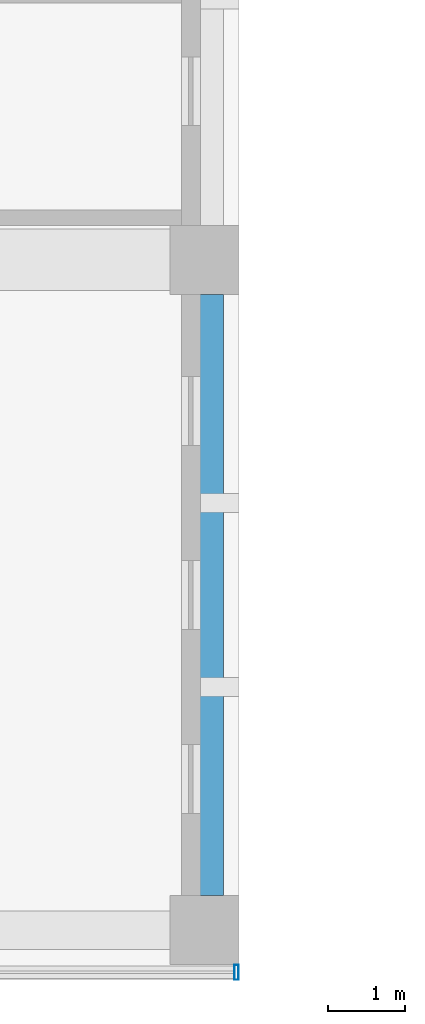
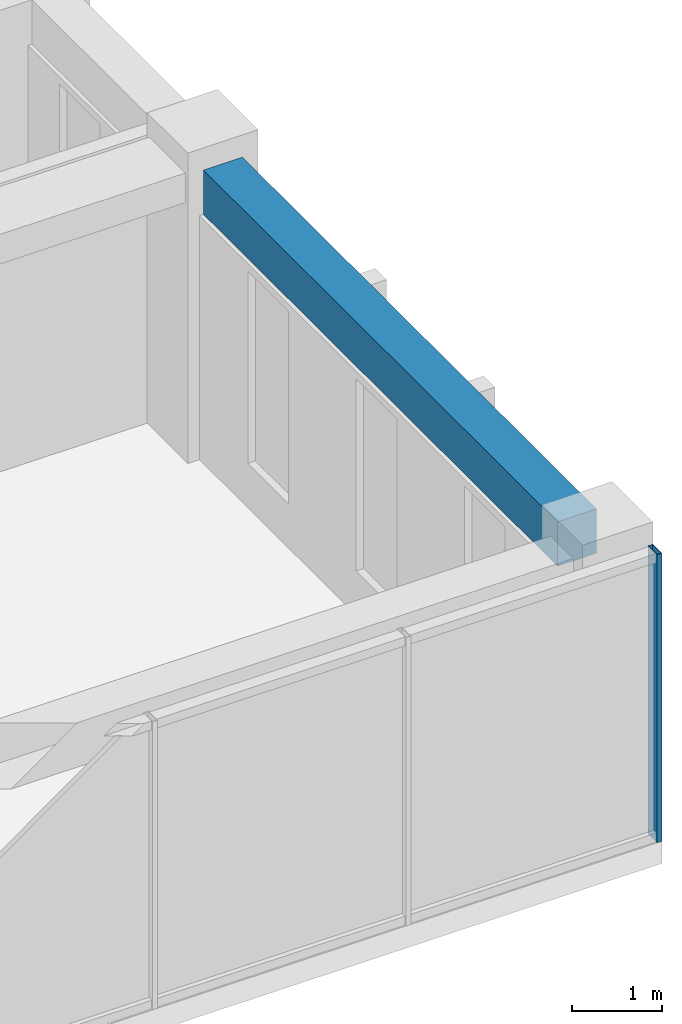
# One storey, part 14 of 37: 1 beam, 1 member, 1 element without a shape of its own.
"""IFC4 building model written with IfcOpenShell, lengths in metres."""

from ifc_helpers import new_model, si_unit, direction, frame, origin, origin_2d, place, context, subcontext, project, spatial, rectangle, hollow_rectangle, extrude, material, layer, layer_set, material_profile, profile_set, type_object, element, aggregate, save


model = new_model("IFC4")

# Units and contexts
model_context = context("Model", 3, precision=1e-05, world=origin(), true_north=direction((0.0, 1.0)))
body_context = subcontext(model_context, "Body", "Model", "MODEL_VIEW")
ifc_project = project(units=[si_unit("LENGTHUNIT", "METRE"), si_unit("AREAUNIT", "SQUARE_METRE"), si_unit("VOLUMEUNIT", "CUBIC_METRE"), si_unit("PLANEANGLEUNIT", "RADIAN"), si_unit("MASSUNIT", "GRAM", prefix="KILO")], contexts=[model_context])

# Site, building, storey
site_placement = place(None, origin())
site = spatial("IfcSite", under=ifc_project, at=site_placement, CompositionType="ELEMENT")
building_placement = place(site_placement, origin())
building = spatial("IfcBuilding", under=site, at=building_placement, Name="Nzadi Deep Aquarium and Research Tower", CompositionType="ELEMENT")
storey_placement = place(building_placement, frame((0.0, 0.0, 57.10009765625)))
storey = spatial("IfcBuildingStorey", under=building, at=storey_placement, Name="L11", CompositionType="ELEMENT", Elevation=57.10009765625)

# Curtain wall, member
ifc_material_1 = material(Name="Aluminium unitised frame", Category="aluminium")
ifc_layer = layer(ifc_material_1, 0.199951171875)
ifc_layer_set = layer_set([ifc_layer], Name="Aluminium unitised frame")
curtain_wall_type = type_object("IfcCurtainWallType", Name="Curtain wall Unitised 200", PredefinedType="NOTDEFINED", material=ifc_layer_set)
curtain_wall_placement = place(storey_placement, origin())
curtain_wall = element("IfcCurtainWall", 1, at=curtain_wall_placement, inside=storey, type_object=curtain_wall_type, Name="Unitised curtain wall blade A south L11", PredefinedType="NOTDEFINED")
ifc_material_2 = material(Name="Aluminium unitised frame", Category="aluminium")
ifc_material_profile_1 = material_profile(ifc_material_2, hollow_rectangle(XDim=0.199951171875, YDim=0.06005859375, WallThickness=0.0048828125, at=origin_2d()))
ifc_profile_set_1 = profile_set([ifc_material_profile_1], Name="Aluminium unitised frame")
member_type = type_object("IfcMemberType", Name="Mullion 60x200 Unitised", PredefinedType="MULLION", material=ifc_profile_set_1)
member_placement = place(storey_placement, frame((48.419921875, -0.10009765625, 0.0), z_axis=(0.0, 0.0, 1.0), x_axis=(0.0, 1.0, 0.0)))
member = element("IfcMember", 2, at=member_placement, type_object=member_type, Name="CW043 mullion 16", PredefinedType="MULLION", context=body_context, shape_type="SweptSolid", body=[
    extrude(hollow_rectangle(XDim=0.199951171875, YDim=0.06005859375, WallThickness=0.0048828125, at=origin_2d()), origin(), (0.0, 0.0, 1.0), 3.89990234375),
])
aggregate(curtain_wall, [member])

# Beam
ifc_material_3 = material(Name="Concrete C35/45", Category="concrete")
ifc_material_profile_2 = material_profile(ifc_material_3, rectangle(XDim=0.5, YDim=0.60009765625, at=origin_2d()))
ifc_profile_set_2 = profile_set([ifc_material_profile_2], Name="Concrete C35/45")
beam_type = type_object("IfcBeamType", Name="RC 500x600", PredefinedType="BEAM", material=ifc_profile_set_2)
beam_placement = place(storey_placement, frame((48.0, 0.89990234375, 3.599853515625), z_axis=(0.0, 1.0, 0.0), x_axis=(-1.0, 0.0, 0.0)))
element("IfcBeam", 3, at=beam_placement, inside=storey, type_object=beam_type, Name="B-Z1-L11-CF-1-1", PredefinedType="BEAM", context=body_context, shape_type="SweptSolid", body=[
    extrude(rectangle(XDim=0.5, YDim=0.60009765625, at=origin_2d()), origin(), (0.0, 0.0, 1.0), 7.85009765625),
])

save(model, "model.ifc")
